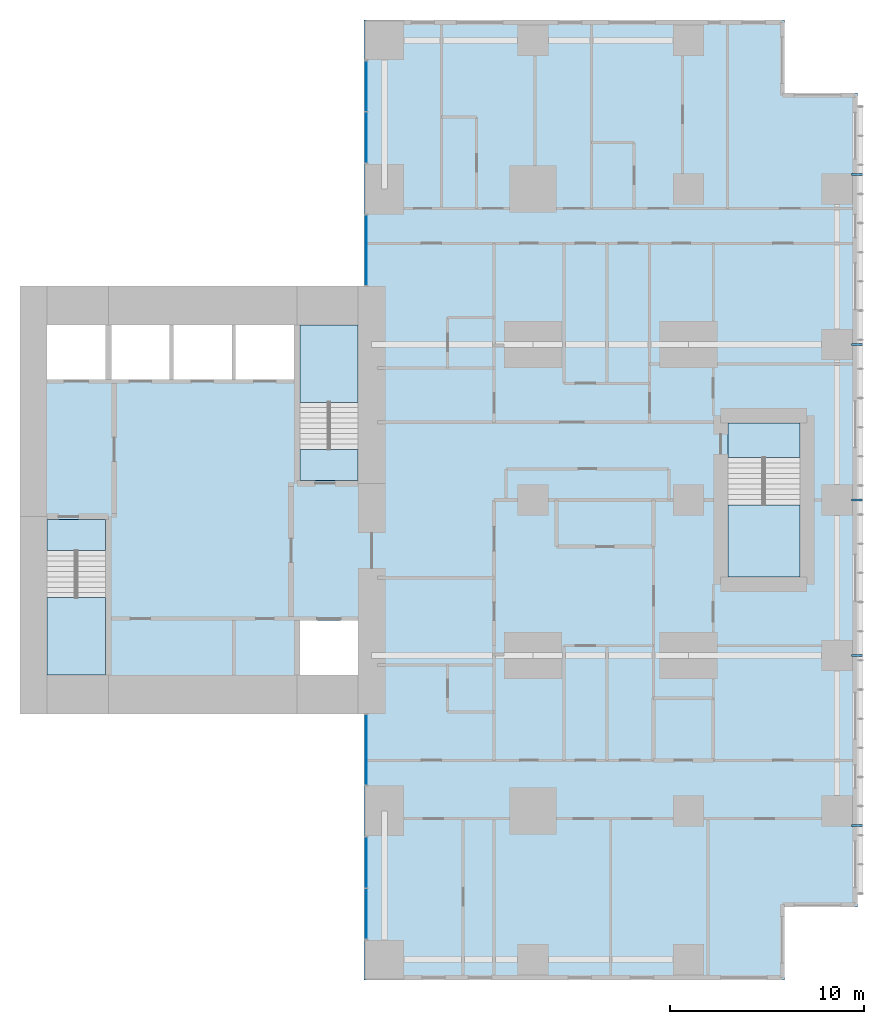
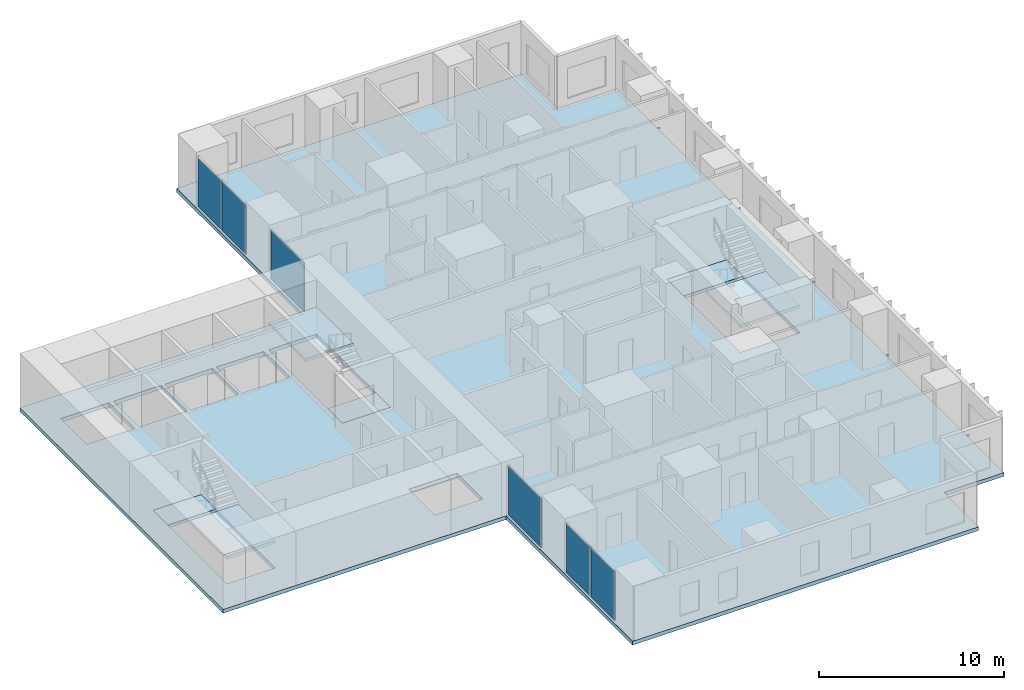
# One storey, part 4 of 12: 7 slabs, 6 plates, 5 members, 7 elements without a shape of their own.
"""IFC4 building model written with IfcOpenShell, lengths in metres."""

from ifc_helpers import new_model, si_unit, direction, frame, origin, origin_2d, place, context, subcontext, project, spatial, polyline, rectangle, hollow_rectangle, outline, extrude, material, layer, layer_set, material_profile, profile_set, type_object, element, aggregate, save


model = new_model("IFC4")

# Units and contexts
model_context = context("Model", 3, precision=1e-05, world=origin(), true_north=direction((0.0, 1.0)))
body_context = subcontext(model_context, "Body", "Model", "MODEL_VIEW")
ifc_project = project(units=[si_unit("LENGTHUNIT", "METRE"), si_unit("AREAUNIT", "SQUARE_METRE"), si_unit("VOLUMEUNIT", "CUBIC_METRE"), si_unit("PLANEANGLEUNIT", "RADIAN"), si_unit("MASSUNIT", "GRAM", prefix="KILO")], contexts=[model_context])

# Site, building, storey
site_placement = place(None, origin())
site = spatial("IfcSite", under=ifc_project, at=site_placement, CompositionType="ELEMENT")
building_placement = place(site_placement, origin())
building = spatial("IfcBuilding", under=site, at=building_placement, Name="Cleftline Residences", CompositionType="ELEMENT")
storey_placement = place(building_placement, frame((0.0, 0.0, 262.800048828125)))
storey = spatial("IfcBuildingStorey", under=building, at=storey_placement, Name="L69", CompositionType="ELEMENT", Elevation=262.800048828125)

# Members
ifc_material_1 = material(Name="Steel S355, hot-dip galvanised", Category="steel")
ifc_material_profile = material_profile(ifc_material_1, hollow_rectangle(XDim=0.10009765625, YDim=0.10009765625, WallThickness=0.008056640625, InnerFilletRadius=0.008056640625, OuterFilletRadius=0.011962890625, at=origin_2d()))
ifc_profile_set = profile_set([ifc_material_profile], Name="Steel S355, hot-dip galvanised")
member_type = type_object("IfcMemberType", Name="BAGUETTE BRACKET SHS 100X100X8", PredefinedType="USERDEFINED", material=ifc_profile_set)
for number, where, z_axis, x_axis, name in (
    (1, (66.39990234375, 7.25, -0.150146484375), (1.0, 0.0, 0.0), (0.0, 1.0, 0.0), "Baguette bracket"),
    (2, (66.39990234375, 16.0, -0.150146484375), (1.0, 0.0, 0.0), (0.0, 1.0, 0.0), "Baguette bracket"),
    (3, (66.39990234375, 24.0, -0.150146484375), (1.0, 0.0, 0.0), (0.0, 1.0, 0.0), "Baguette bracket"),
    (4, (66.39990234375, 32.0, -0.150146484375), (1.0, 0.0, 0.0), (0.0, 1.0, 0.0), "Baguette bracket"),
    (5, (66.39990234375, 40.75, -0.150146484375), (1.0, 0.0, 0.0), (0.0, 1.0, 0.0), "Baguette bracket"),
):
    element("IfcMember", number, at=place(storey_placement, frame(where, z_axis=z_axis, x_axis=x_axis)), inside=storey, type_object=member_type, Name=name, ObjectType="BAGUETTE BRACKET", PredefinedType="USERDEFINED", context=body_context, shape_type="SweptSolid", body=[
        extrude(hollow_rectangle(XDim=0.10009765625, YDim=0.10009765625, WallThickness=0.008056640625, InnerFilletRadius=0.008056640625, OuterFilletRadius=0.011962890625, at=origin_2d()), origin(), (0.0, 0.0, 1.0), 0.550048828125),
    ])

# Curtain wall, plate
ifc_material_2 = material(Name="Aluminium framed curtain wall", Category="aluminium")
ifc_layer_1 = layer(ifc_material_2, 0.199951171875)
ifc_layer_set_1 = layer_set([ifc_layer_1], Name="CW1 CLEFT GLAZING")
curtain_wall_type = type_object("IfcCurtainWallType", Name="CW1 CLEFT GLAZING", PredefinedType="NOTDEFINED", material=ifc_layer_set_1)
curtain_wall_1_placement = place(storey_placement, origin())
curtain_wall_1 = element("IfcCurtainWall", 6, at=curtain_wall_1_placement, inside=storey, type_object=curtain_wall_type, Name="Curtain wall CW1", PredefinedType="NOTDEFINED")
ifc_material_3 = material(Name="Laminated clear glass", Category="glass")
ifc_layer_2 = layer(ifc_material_3, 0.028076171875)
ifc_layer_set_2 = layer_set([ifc_layer_2], Name="CW1 GLASS PANEL")
plate_type = type_object("IfcPlateType", Name="CW1 GLASS PANEL", PredefinedType="CURTAIN_PANEL", material=ifc_layer_set_2)
plate_1_placement = place(storey_placement, frame((41.425048828125, 11.14990234375, 0.06005859375), z_axis=(0.0, 0.0, 1.0), x_axis=(0.0, -1.0, 0.0)))
plate_1 = element("IfcPlate", 7, at=plate_1_placement, type_object=plate_type, Name="CW1 panel 1.1", PredefinedType="CURTAIN_PANEL", context=body_context, shape_type="SweptSolid", body=[
    extrude(rectangle(XDim=3.580078125, YDim=0.028076171875, at=origin_2d()), origin(), (0.0, 0.0, 1.0), 3.22998046875),
])
aggregate(curtain_wall_1, [plate_1])

# Curtain wall, plates
curtain_wall_2_placement = place(storey_placement, origin())
curtain_wall_2 = element("IfcCurtainWall", 8, at=curtain_wall_2_placement, inside=storey, type_object=curtain_wall_type, Name="Curtain wall CW1", PredefinedType="NOTDEFINED")
plate_2_placement = place(storey_placement, frame((41.425048828125, 5.347412109375, 0.06005859375), z_axis=(0.0, 0.0, 1.0), x_axis=(0.0, -1.0, 0.0)))
plate_2 = element("IfcPlate", 9, at=plate_2_placement, type_object=plate_type, Name="CW1 panel 1.1", PredefinedType="CURTAIN_PANEL", context=body_context, shape_type="SweptSolid", body=[
    extrude(rectangle(XDim=2.5849609375, YDim=0.028076171875, at=origin_2d()), origin(), (0.0, 0.0, 1.0), 3.22998046875),
])
plate_3_placement = place(storey_placement, frame((41.425048828125, 2.702392578125, 0.06005859375), z_axis=(0.0, 0.0, 1.0), x_axis=(0.0, -1.0, 0.0)))
plate_3 = element("IfcPlate", 10, at=plate_3_placement, type_object=plate_type, Name="CW1 panel 2.1", PredefinedType="CURTAIN_PANEL", context=body_context, shape_type="SweptSolid", body=[
    extrude(rectangle(XDim=2.5849609375, YDim=0.028076171875, at=origin_2d()), origin(), (0.0, 0.0, 1.0), 3.22998046875),
])
aggregate(curtain_wall_2, [plate_2, plate_3])

curtain_wall_3_placement = place(storey_placement, origin())
curtain_wall_3 = element("IfcCurtainWall", 11, at=curtain_wall_3_placement, inside=storey, type_object=curtain_wall_type, Name="Curtain wall CW1", PredefinedType="NOTDEFINED")
plate_4_placement = place(storey_placement, frame((41.425048828125, 45.297607421875, 0.06005859375), z_axis=(0.0, 0.0, 1.0), x_axis=(0.0, -1.0, 0.0)))
plate_4 = element("IfcPlate", 12, at=plate_4_placement, type_object=plate_type, Name="CW1 panel 1.1", PredefinedType="CURTAIN_PANEL", context=body_context, shape_type="SweptSolid", body=[
    extrude(rectangle(XDim=2.5849609375, YDim=0.028076171875, at=origin_2d()), origin(), (0.0, 0.0, 1.0), 3.22998046875),
])
plate_5_placement = place(storey_placement, frame((41.425048828125, 42.652587890625, 0.06005859375), z_axis=(0.0, 0.0, 1.0), x_axis=(0.0, -1.0, 0.0)))
plate_5 = element("IfcPlate", 13, at=plate_5_placement, type_object=plate_type, Name="CW1 panel 2.1", PredefinedType="CURTAIN_PANEL", context=body_context, shape_type="SweptSolid", body=[
    extrude(rectangle(XDim=2.5849609375, YDim=0.028076171875, at=origin_2d()), origin(), (0.0, 0.0, 1.0), 3.22998046875),
])
aggregate(curtain_wall_3, [plate_4, plate_5])

# Curtain wall, plate
curtain_wall_4_placement = place(storey_placement, origin())
curtain_wall_4 = element("IfcCurtainWall", 14, at=curtain_wall_4_placement, inside=storey, type_object=curtain_wall_type, Name="Curtain wall CW1", PredefinedType="NOTDEFINED")
plate_6_placement = place(storey_placement, frame((41.425048828125, 36.85009765625, 0.06005859375), z_axis=(0.0, 0.0, 1.0), x_axis=(0.0, -1.0, 0.0)))
plate_6 = element("IfcPlate", 15, at=plate_6_placement, type_object=plate_type, Name="CW1 panel 1.1", PredefinedType="CURTAIN_PANEL", context=body_context, shape_type="SweptSolid", body=[
    extrude(rectangle(XDim=3.580078125, YDim=0.028076171875, at=origin_2d()), origin(), (0.0, 0.0, 1.0), 3.22998046875),
])
aggregate(curtain_wall_4, [plate_6])

# Slab
ifc_material_4 = material(Name="Concrete B45", Category="concrete")
ifc_layer_3 = layer(ifc_material_4, 0.25)
ifc_layer_set_3 = layer_set([ifc_layer_3], Name="FLOOR SLAB 250")
slab_type_1 = type_object("IfcSlabType", Name="FLOOR SLAB 250", PredefinedType="FLOOR", material=ifc_layer_set_3)
slab_1_placement = place(storey_placement, frame((0.0, 0.0, -0.25)))
element("IfcSlab", 16, at=slab_1_placement, inside=storey, type_object=slab_type_1, Name="Floor slab L69", PredefinedType="FLOOR", context=body_context, shape_type="SweptSolid", body=[
    extrude(outline(polyline([(41.300048828125, 13.0), (41.300048828125, -0.699951171875), (62.949951171875, -0.699951171875), (62.949951171875, 3.050048828125), (66.699951171875, 3.050048828125), (66.699951171875, 44.949951171875), (62.949951171875, 44.949951171875), (62.949951171875, 48.699951171875), (41.300048828125, 48.699951171875), (41.300048828125, 35.0), (23.60009765625, 35.0), (23.60009765625, 13.0), (41.300048828125, 13.0)]), holes=[polyline([(28.0, 15.0), (28.0, 23.0), (25.0, 23.0), (25.0, 15.0), (28.0, 15.0)]), polyline([(41.0, 25.0), (41.0, 33.0), (38.0, 33.0), (38.0, 25.0), (41.0, 25.0)]), polyline([(28.0, 30.199951171875), (28.0, 33.0), (25.0, 33.0), (25.0, 30.199951171875), (28.0, 30.199951171875)]), polyline([(41.0, 15.0), (41.0, 17.800048828125), (38.0, 17.800048828125), (38.0, 15.0), (41.0, 15.0)]), polyline([(31.300048828125, 30.199951171875), (31.300048828125, 33.0), (28.300048828125, 33.0), (28.300048828125, 30.199951171875), (31.300048828125, 30.199951171875)]), polyline([(34.5, 30.199951171875), (34.5, 33.0), (31.5, 33.0), (31.5, 30.199951171875), (34.5, 30.199951171875)]), polyline([(37.699951171875, 30.199951171875), (37.699951171875, 33.0), (34.699951171875, 33.0), (34.699951171875, 30.199951171875), (37.699951171875, 30.199951171875)]), polyline([(63.72509765625, 20.02490234375), (63.72509765625, 27.97509765625), (60.02490234375, 27.97509765625), (60.02490234375, 20.02490234375), (63.72509765625, 20.02490234375)])]), origin(), (0.0, 0.0, 1.0), 0.25),
])

# Stair, slabs
ifc_material_5 = material(Name="Concrete B45, stone treads", Category="masonry")
stair_type_1 = type_object("IfcStairType", Name="STAIR A 1450 WIDE 180 RISER", PredefinedType="HALF_TURN_STAIR", material=ifc_material_5)
stair_1_placement = place(storey_placement, origin())
stair_1 = element("IfcStair", 17, at=stair_1_placement, inside=storey, type_object=stair_type_1, Name="Stair A L69", PredefinedType="HALF_TURN_STAIR")
ifc_material_6 = material(Name="Concrete B45", Category="concrete")
ifc_layer_4 = layer(ifc_material_6, 0.199951171875)
ifc_layer_set_4 = layer_set([ifc_layer_4], Name="STAIR LANDING 200")
slab_type_2 = type_object("IfcSlabType", Name="STAIR LANDING 200", PredefinedType="LANDING", material=ifc_layer_set_4)
slab_2_placement = place(storey_placement, frame((0.0, 0.0, -0.199951171875)))
slab_2 = element("IfcSlab", 18, at=slab_2_placement, type_object=slab_type_2, Name="ST-A landing 1", PredefinedType="LANDING", context=body_context, shape_type="SweptSolid", body=[
    extrude(outline(polyline([(25.0, 21.39990234375), (28.0, 21.39990234375), (28.0, 23.0), (25.0, 23.0), (25.0, 21.39990234375)])), origin(), (0.0, 0.0, 1.0), 0.199951171875),
])
slab_3_placement = place(storey_placement, frame((0.0, 0.0, 1.599853515625)))
slab_3 = element("IfcSlab", 19, at=slab_3_placement, type_object=slab_type_2, Name="ST-A landing 2", PredefinedType="LANDING", context=body_context, shape_type="SweptSolid", body=[
    extrude(outline(polyline([(25.0, 15.0), (28.0, 15.0), (28.0, 18.969970703125), (25.0, 18.969970703125), (25.0, 15.0)])), origin(), (0.0, 0.0, 1.0), 0.2001953125),
])
aggregate(stair_1, [slab_2, slab_3])

ifc_material_7 = material(Name="Concrete B45, stone treads", Category="masonry")
stair_type_2 = type_object("IfcStairType", Name="STAIR B 1450 WIDE 180 RISER", PredefinedType="HALF_TURN_STAIR", material=ifc_material_7)
stair_2_placement = place(storey_placement, origin())
stair_2 = element("IfcStair", 20, at=stair_2_placement, inside=storey, type_object=stair_type_2, Name="Stair B L69", PredefinedType="HALF_TURN_STAIR")
slab_4_placement = place(storey_placement, frame((0.0, 0.0, -0.199951171875)))
slab_4 = element("IfcSlab", 21, at=slab_4_placement, type_object=slab_type_2, Name="ST-B landing 1", PredefinedType="LANDING", context=body_context, shape_type="SweptSolid", body=[
    extrude(outline(polyline([(38.0, 25.0), (41.0, 25.0), (41.0, 26.60009765625), (38.0, 26.60009765625), (38.0, 25.0)])), origin(), (0.0, 0.0, 1.0), 0.199951171875),
])
slab_5_placement = place(storey_placement, frame((0.0, 0.0, 1.599853515625)))
slab_5 = element("IfcSlab", 22, at=slab_5_placement, type_object=slab_type_2, Name="ST-B landing 2", PredefinedType="LANDING", context=body_context, shape_type="SweptSolid", body=[
    extrude(outline(polyline([(38.0, 29.030029296875), (41.0, 29.030029296875), (41.0, 33.0), (38.0, 33.0), (38.0, 29.030029296875)])), origin(), (0.0, 0.0, 1.0), 0.2001953125),
])
aggregate(stair_2, [slab_4, slab_5])

ifc_material_8 = material(Name="Concrete B45, stone treads", Category="masonry")
stair_type_3 = type_object("IfcStairType", Name="STAIR E 1800 WIDE 180 RISER", PredefinedType="HALF_TURN_STAIR", material=ifc_material_8)
stair_3_placement = place(storey_placement, origin())
stair_3 = element("IfcStair", 23, at=stair_3_placement, inside=storey, type_object=stair_type_3, Name="Stair E L69", PredefinedType="HALF_TURN_STAIR")
slab_6_placement = place(storey_placement, frame((0.0, 0.0, -0.199951171875)))
slab_6 = element("IfcSlab", 24, at=slab_6_placement, type_object=slab_type_2, Name="ST-E landing 1", PredefinedType="LANDING", context=body_context, shape_type="SweptSolid", body=[
    extrude(outline(polyline([(60.02490234375, 26.175048828125), (63.72509765625, 26.175048828125), (63.72509765625, 27.97509765625), (60.02490234375, 27.97509765625), (60.02490234375, 26.175048828125)])), origin(), (0.0, 0.0, 1.0), 0.199951171875),
])
slab_7_placement = place(storey_placement, frame((0.0, 0.0, 1.599853515625)))
slab_7 = element("IfcSlab", 25, at=slab_7_placement, type_object=slab_type_2, Name="ST-E landing 2", PredefinedType="LANDING", context=body_context, shape_type="SweptSolid", body=[
    extrude(outline(polyline([(60.02490234375, 20.02490234375), (63.72509765625, 20.02490234375), (63.72509765625, 23.7451171875), (60.02490234375, 23.7451171875), (60.02490234375, 20.02490234375)])), origin(), (0.0, 0.0, 1.0), 0.2001953125),
])
aggregate(stair_3, [slab_6, slab_7])

save(model, "model.ifc")
